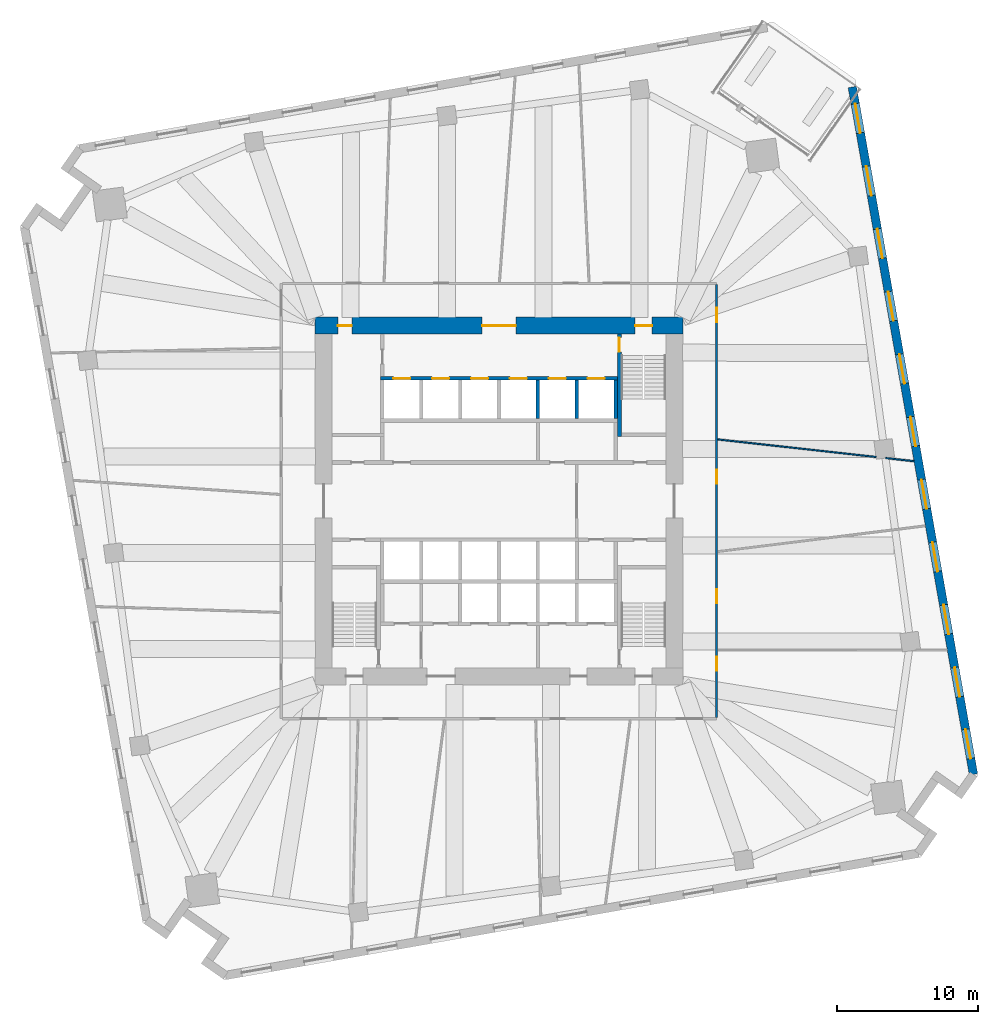
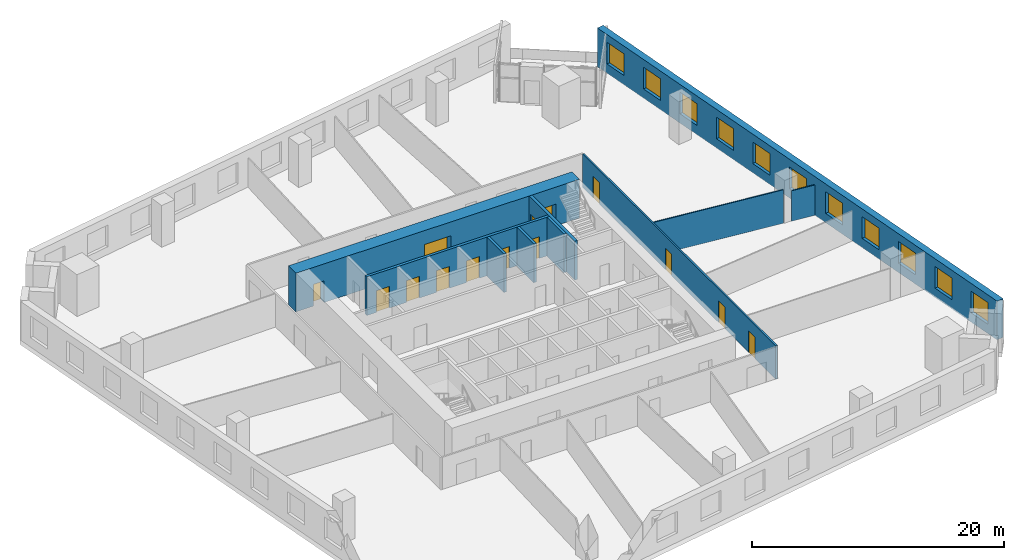
# One storey, part 7 of 10: 14 doors, 11 windows, 10 walls, 25 openings.
"""IFC4 building model written with IfcOpenShell, lengths in metres."""

import ifcopenshell
import ifcopenshell.guid

model = None  # the IFC model being written
_history = None  # IfcOwnerHistory: only IFC2X3 demands one
_inside = {}  # id of a spatial element -> (the spatial element, [elements in it])
_under = {}  # id of a project, library or spatial element -> (it, [spatial elements below it])
_declared = {}  # id of a project -> (the project, [libraries it declares])
_typed = {}  # id of a type object -> (the type object, [elements of that type])
_made_of = {}  # id of a material, layer set ... -> (it, [elements and type objects made of it])


def new_model(schema):
    """Start an empty IFC model of exactly this schema.

    Asked for "IFC4X3", IfcOpenShell would pick the latest addendum, in which some entities
    have other attributes; the version numbers below select the first issue.
    IFC2X3 requires an IfcOwnerHistory on every rooted entity: one is made here for all.
    """
    global model, _history
    if schema == "IFC4X3":
        model = ifcopenshell.file(schema_version=(4, 3, 0, 0))
    else:
        model = ifcopenshell.file(schema=schema)
    _inside.clear()
    _under.clear()
    _declared.clear()
    _typed.clear()
    _made_of.clear()
    _history = None
    if model.schema == "IFC2X3":
        org = make("IfcOrganization", Name="unknown")
        user = make(
            "IfcPersonAndOrganization",
            ThePerson=make("IfcPerson", FamilyName="unknown"),
            TheOrganization=org,
        )
        app = make(
            "IfcApplication",
            ApplicationDeveloper=org,
            Version="unknown",
            ApplicationFullName="unknown",
            ApplicationIdentifier="unknown",
        )
        _history = make(
            "IfcOwnerHistory",
            OwningUser=user,
            OwningApplication=app,
            ChangeAction="ADDED",
            CreationDate=0,
        )
    return model


def make(cls, **values):
    """One entity of the class cls with the attributes given. An attribute that is None is left unset."""
    return model.create_entity(
        cls, **{name: value for name, value in values.items() if value is not None}
    )


def rooted(cls, **values):
    """An entity with a GlobalId (a new one), such as an element, a storey or a relation."""
    return make(cls, GlobalId=ifcopenshell.guid.new(), OwnerHistory=_history, **values)


def si_unit(unit_type, name, prefix=None):
    """IfcSIUnit, for example si_unit("LENGTHUNIT", "METRE", prefix="MILLI")."""
    return make("IfcSIUnit", UnitType=unit_type, Prefix=prefix, Name=name)


def assignment(units):
    """IfcUnitAssignment: the units of a project."""
    return None if units is None else make("IfcUnitAssignment", Units=units)


def point(xyz):
    """IfcCartesianPoint."""
    return None if xyz is None else make("IfcCartesianPoint", Coordinates=xyz)


def direction(xyz):
    """IfcDirection."""
    return None if xyz is None else make("IfcDirection", DirectionRatios=xyz)


def frame(location, z_axis=None, x_axis=None):
    """IfcAxis2Placement3D, a coordinate frame: its origin and axes. An axis left out is left unset."""
    return make(
        "IfcAxis2Placement3D",
        Location=point(location),
        Axis=direction(z_axis),
        RefDirection=direction(x_axis),
    )


def frame_2d(location, x_axis=None):
    """IfcAxis2Placement2D, a coordinate frame in the plane: its origin and x axis."""
    return make(
        "IfcAxis2Placement2D", Location=point(location), RefDirection=direction(x_axis)
    )


def origin():
    """The frame at (0, 0, 0) with its axes left unset."""
    return frame((0.0, 0.0, 0.0))


def place(relative_to, where):
    """IfcLocalPlacement: puts the frame where relative to a parent placement (None: the world)."""
    return make(
        "IfcLocalPlacement", PlacementRelTo=relative_to, RelativePlacement=where
    )


def context(
    kind, dimensions, precision=None, world=None, true_north=None, identifier=None
):
    """IfcGeometricRepresentationContext, for example the 3D "Model" context."""
    return make(
        "IfcGeometricRepresentationContext",
        ContextIdentifier=identifier,
        ContextType=kind,
        CoordinateSpaceDimension=dimensions,
        Precision=precision,
        WorldCoordinateSystem=world,
        TrueNorth=true_north,
    )


def subcontext(parent, identifier, kind, view, scale=None):
    """IfcGeometricRepresentationSubContext, for example "Body" below "Model"."""
    return make(
        "IfcGeometricRepresentationSubContext",
        ContextIdentifier=identifier,
        ContextType=kind,
        ParentContext=parent,
        TargetScale=scale,
        TargetView=view,
    )


def project(units=None, contexts=None):
    """IfcProject with its units and contexts."""
    return rooted(
        "IfcProject",
        Name="project",
        RepresentationContexts=contexts,
        UnitsInContext=assignment(units),
    )


def spatial(cls, under=None, at=None, **own):
    """A site, building, storey or space (cls), placed at a placement, below another one or the project."""
    s = rooted(cls, ObjectPlacement=at, **own)
    if under is not None:
        _under.setdefault(under.id(), (under, []))[1].append(s)
    return s


def profile(cls, at=None, kind="AREA", **sizes):
    """A parametric profile (cls). Its sizes go by their IFC names, for example OverallWidth=200.0."""
    return make(cls, ProfileType=kind, Position=at, **sizes)


def rectangle(**sizes):
    """IfcRectangleProfileDef."""
    return profile("IfcRectangleProfileDef", **sizes)


def extrude(swept, where, along, depth):
    """IfcExtrudedAreaSolid: the profile swept, set in the frame where, extruded along a direction by depth."""
    return make(
        "IfcExtrudedAreaSolid",
        SweptArea=swept,
        Position=where,
        ExtrudedDirection=direction(along),
        Depth=depth,
    )


def shape(context_of_items, identifier, shape_type, items):
    """IfcShapeRepresentation: the items that make up one representation, for example the "Body"."""
    return make(
        "IfcShapeRepresentation",
        ContextOfItems=context_of_items,
        RepresentationIdentifier=identifier,
        RepresentationType=shape_type,
        Items=items,
    )


def material(Name=None, Category=None):
    """IfcMaterial."""
    return make("IfcMaterial", Name=Name, Category=Category)


def layer(
    of_material, thickness, ventilated=None, Name=None, Category=None, Priority=None
):
    """IfcMaterialLayer: one layer of a wall or slab, of a material (None: an air gap)."""
    return make(
        "IfcMaterialLayer",
        Material=of_material,
        LayerThickness=thickness,
        IsVentilated=ventilated,
        Name=Name,
        Category=Category,
        Priority=Priority,
    )


def layer_set(layers, Name=None):
    """IfcMaterialLayerSet."""
    return make("IfcMaterialLayerSet", MaterialLayers=layers, LayerSetName=Name)


def made_of(thing, what):
    """Note that an element or type object is made of a material, layer set ...; save() writes the relation."""
    if what is not None:
        _made_of.setdefault(what.id(), (what, []))[1].append(thing)
    return thing


def type_object(cls, material=None, **own):
    """A type object (cls), such as IfcWallType, which elements share."""
    return made_of(rooted(cls, **own), material)


def element(
    cls,
    number,
    at=None,
    inside=None,
    cuts=None,
    type_object=None,
    material=None,
    context=None,
    identifier="Body",
    shape_type=None,
    held_by="IfcProductDefinitionShape",
    body=None,
    shapes=None,
    **own,
):
    """One element of the class cls, such as IfcWall. Its Tag is "e" and its number.

    at: its placement. inside: the storey or other place that contains it. cuts: it is an
    opening in that element (IfcRelVoidsElement). A single representation is given by context,
    identifier, shape_type and body (its items); several are given by shapes. held_by: the class
    of the entity that holds the representations. save() writes the other relations.
    """
    e = rooted(cls, Tag="e%d" % number, ObjectPlacement=at, **own)
    if body is not None:
        shapes = [shape(context, identifier, shape_type, body)]
    if shapes is not None:
        e.Representation = make(held_by, Representations=shapes)
    if inside is not None:
        _inside.setdefault(inside.id(), (inside, []))[1].append(e)
    if cuts is not None:
        rooted(
            "IfcRelVoidsElement", RelatingBuildingElement=cuts, RelatedOpeningElement=e
        )
    if type_object is not None:
        _typed.setdefault(type_object.id(), (type_object, []))[1].append(e)
    return made_of(e, material)


def fill(opening, filler):
    """IfcRelFillsElement: the door or window that sits in an opening."""
    return rooted(
        "IfcRelFillsElement",
        RelatingOpeningElement=opening,
        RelatedBuildingElement=filler,
    )


def aggregate(whole, parts):
    """IfcRelAggregates: a whole, such as a stair, and the parts it consists of."""
    return rooted("IfcRelAggregates", RelatingObject=whole, RelatedObjects=parts)


def save(model, path):
    """Write the relations noted so far, then the file.

    IfcRelAggregates (storeys below a building ...), IfcRelContainedInSpatialStructure (elements
    in a storey), IfcRelDefinesByType, IfcRelAssociatesMaterial and IfcRelDeclares: one each for
    every whole, place, type object, material and project.
    """
    for whole, parts in _under.values():
        aggregate(whole, parts)
    for where, things in _inside.values():
        rooted(
            "IfcRelContainedInSpatialStructure",
            RelatedElements=things,
            RelatingStructure=where,
        )
    for kind, things in _typed.values():
        rooted("IfcRelDefinesByType", RelatedObjects=things, RelatingType=kind)
    for what, things in _made_of.values():
        rooted("IfcRelAssociatesMaterial", RelatedObjects=things, RelatingMaterial=what)
    for by, libraries in _declared.values():
        rooted("IfcRelDeclares", RelatingContext=by, RelatedDefinitions=libraries)
    model.write(path)


model = new_model("IFC4")

# Units and contexts
model_context = context("Model", 3, precision=1e-05, world=origin(), true_north=direction((0.0, 1.0)))
body_context = subcontext(model_context, "Body", "Model", "MODEL_VIEW")
ifc_project = project(units=[si_unit("LENGTHUNIT", "METRE"), si_unit("AREAUNIT", "SQUARE_METRE"), si_unit("VOLUMEUNIT", "CUBIC_METRE"), si_unit("PLANEANGLEUNIT", "RADIAN"), si_unit("MASSUNIT", "GRAM", prefix="KILO")], contexts=[model_context])

# Site, building, storey
site_placement = place(None, origin())
site = spatial("IfcSite", under=ifc_project, at=site_placement, CompositionType="ELEMENT")
building_placement = place(site_placement, origin())
building = spatial("IfcBuilding", under=site, at=building_placement, Name="Dilmun Exchange Tower", CompositionType="ELEMENT")
storey_placement = place(building_placement, frame((0.0, 0.0, 59.699951171875)))
storey = spatial("IfcBuildingStorey", under=building, at=storey_placement, Name="L13", CompositionType="ELEMENT", Elevation=59.699951171875)

# Wall, openings, doors
ifc_material_1 = material(Name="Concrete C80/95", Category="concrete")
ifc_layer_1 = layer(ifc_material_1, 1.199951171875)
ifc_layer_set_1 = layer_set([ifc_layer_1], Name="Concrete C80/95")
wall_type_1 = type_object("IfcWallType", Name="Core shear wall 1200 Concrete C80/95", PredefinedType="SHEAR", material=ifc_layer_set_1)
wall_1_placement = place(storey_placement, frame((-13.0, 12.39990234375, 0.0), z_axis=(0.0, 0.0, 1.0), x_axis=(1.0, 0.0, 0.0)))
wall_1 = element("IfcWall", 1, at=wall_1_placement, inside=storey, type_object=wall_type_1, Name="L13 core shear wall N", PredefinedType="SHEAR", context=body_context, shape_type="SweptSolid", body=[
    extrude(rectangle(XDim=26.0, YDim=1.199951171875, at=frame_2d((13.0, 0.0))), origin(), (0.0, 0.0, 1.0), 3.75),
])
opening_1_placement = place(wall_1_placement, frame((11.800048828125, 0.0, 0.0)))
opening_1 = element("IfcOpeningElement", 2, at=opening_1_placement, cuts=wall_1, Name="Opening CD1", PredefinedType="OPENING", context=body_context, shape_type="SweptSolid", body=[
    extrude(rectangle(XDim=2.39990234375, YDim=2.39990234375, at=frame_2d((1.199951171875, 1.199951171875))), frame((0.0, 0.60986328125, 0.0), z_axis=(0.0, -1.0, 0.0), x_axis=(1.0, 0.0, 0.0)), (0.0, 0.0, 1.0), 1.219970703125),
])
opening_2_placement = place(wall_1_placement, frame((22.625, 0.0, 0.0)))
opening_2 = element("IfcOpeningElement", 3, at=opening_2_placement, cuts=wall_1, Name="Opening CD3", PredefinedType="OPENING", context=body_context, shape_type="SweptSolid", body=[
    extrude(rectangle(XDim=1.199951171875, YDim=2.10009765625, at=frame_2d((0.60009765625, 1.050048828125))), frame((0.0, 0.60986328125, 0.0), z_axis=(0.0, -1.0, 0.0), x_axis=(1.0, 0.0, 0.0)), (0.0, 0.0, 1.0), 1.219970703125),
])
opening_3_placement = place(wall_1_placement, frame((1.60009765625, 0.0, 0.0)))
opening_3 = element("IfcOpeningElement", 4, at=opening_3_placement, cuts=wall_1, Name="Opening CD4", PredefinedType="OPENING", context=body_context, shape_type="SweptSolid", body=[
    extrude(rectangle(XDim=1.0, YDim=2.10009765625, at=frame_2d((0.5, 1.050048828125))), frame((0.0, 0.60986328125, 0.0), z_axis=(0.0, -1.0, 0.0), x_axis=(1.0, 0.0, 0.0)), (0.0, 0.0, 1.0), 1.219970703125),
])
ifc_material_2 = material(Name="Fire-rated steel door set", Category="steel")
door_type_1 = type_object("IfcDoorType", Name="Core lobby door 2400x2400", OperationType="DOUBLE_DOOR_DOUBLE_SWING", PredefinedType="DOOR", material=ifc_material_2)
door_1_placement = place(opening_1_placement, origin())
door_1 = element("IfcDoor", 5, at=door_1_placement, inside=storey, type_object=door_type_1, Name="L13 door North lift lobby", OperationType="SINGLE_SWING_LEFT", OverallHeight=2.39990234375, OverallWidth=2.39990234375, PredefinedType="DOOR", context=body_context, shape_type="SweptSolid", body=[
    extrude(rectangle(XDim=2.39990234375, YDim=2.39990234375, at=frame_2d((1.199951171875, 1.199951171875))), frame((0.0, 0.02490234375, 0.0), z_axis=(0.0, -1.0, 0.0), x_axis=(1.0, 0.0, 0.0)), (0.0, 0.0, 1.0), 0.050048828125),
])
fill(opening_1, door_1)
door_type_2 = type_object("IfcDoorType", Name="Core room door 1000x2100", OperationType="SINGLE_SWING_LEFT", PredefinedType="DOOR", material=ifc_material_2)
door_2_placement = place(opening_3_placement, origin())
door_2 = element("IfcDoor", 6, at=door_2_placement, inside=storey, type_object=door_type_2, Name="L13 door North-west core rooms", OperationType="SINGLE_SWING_LEFT", OverallHeight=2.10009765625, OverallWidth=1.0, PredefinedType="DOOR", context=body_context, shape_type="SweptSolid", body=[
    extrude(rectangle(XDim=1.0, YDim=2.10009765625, at=frame_2d((0.5, 1.050048828125))), frame((0.0, 0.02490234375, 0.0), z_axis=(0.0, -1.0, 0.0), x_axis=(1.0, 0.0, 0.0)), (0.0, 0.0, 1.0), 0.050048828125),
])
fill(opening_3, door_2)
door_type_3 = type_object("IfcDoorType", Name="Stair exit door 1200x2100", OperationType="SINGLE_SWING_LEFT", PredefinedType="DOOR", material=ifc_material_2)
door_3_placement = place(opening_2_placement, origin())
door_3 = element("IfcDoor", 7, at=door_3_placement, inside=storey, type_object=door_type_3, Name="L13 door Stair ST1", OperationType="SINGLE_SWING_LEFT", OverallHeight=2.10009765625, OverallWidth=1.199951171875, PredefinedType="DOOR", context=body_context, shape_type="SweptSolid", body=[
    extrude(rectangle(XDim=1.199951171875, YDim=2.10009765625, at=frame_2d((0.60009765625, 1.050048828125))), frame((0.0, 0.02490234375, 0.0), z_axis=(0.0, -1.0, 0.0), x_axis=(1.0, 0.0, 0.0)), (0.0, 0.0, 1.0), 0.050048828125),
])
fill(opening_2, door_3)

ifc_material_3 = material(Name="Corridor wall 150")
ifc_layer_2 = layer(ifc_material_3, 0.14990234375)
ifc_layer_set_2 = layer_set([ifc_layer_2], Name="Corridor wall 150")
wall_type_2 = type_object("IfcWallType", Name="Corridor wall 150", PredefinedType="PARTITIONING", material=ifc_layer_set_2)
wall_2_placement = place(storey_placement, frame((15.39990234375, -15.324951171875, 0.0), z_axis=(0.0, 0.0, 1.0), x_axis=(0.0, 1.0, 0.0)))
wall_2 = element("IfcWall", 8, at=wall_2_placement, inside=storey, type_object=wall_type_2, Name="Corridor wall", PredefinedType="PARTITIONING", context=body_context, shape_type="SweptSolid", body=[
    extrude(rectangle(XDim=30.64990234375, YDim=0.14990234375, at=frame_2d((15.324951171875, 0.0))), origin(), (0.0, 0.0, 1.0), 3.25),
])
opening_4_placement = place(wall_2_placement, frame((27.985107421875, 0.0, 0.0)))
opening_4 = element("IfcOpeningElement", 9, at=opening_4_placement, cuts=wall_2, Name="Opening TF13-D14", PredefinedType="OPENING", context=body_context, shape_type="SweptSolid", body=[
    extrude(rectangle(XDim=1.0, YDim=2.10009765625, at=frame_2d((0.5, 1.050048828125))), frame((0.0, 0.0849609375, 0.0), z_axis=(0.0, -1.0, 0.0), x_axis=(1.0, 0.0, 0.0)), (0.0, 0.0, 1.0), 0.169921875),
])
opening_5_placement = place(wall_2_placement, frame((3.300048828125, 0.0, 0.0)))
opening_5 = element("IfcOpeningElement", 10, at=opening_5_placement, cuts=wall_2, Name="Opening TF13-D16", PredefinedType="OPENING", context=body_context, shape_type="SweptSolid", body=[
    extrude(rectangle(XDim=1.0, YDim=2.10009765625, at=frame_2d((0.5, 1.050048828125))), frame((0.0, 0.0849609375, 0.0), z_axis=(0.0, -1.0, 0.0), x_axis=(1.0, 0.0, 0.0)), (0.0, 0.0, 1.0), 0.169921875),
])
opening_6_placement = place(wall_2_placement, frame((16.53759765625, 0.0, 0.0)))
opening_6 = element("IfcOpeningElement", 11, at=opening_6_placement, cuts=wall_2, Name="Opening TF13-D17", PredefinedType="OPENING", context=body_context, shape_type="SweptSolid", body=[
    extrude(rectangle(XDim=1.0, YDim=2.10009765625, at=frame_2d((0.5, 1.050048828125))), frame((0.0, 0.0849609375, 0.0), z_axis=(0.0, -1.0, 0.0), x_axis=(1.0, 0.0, 0.0)), (0.0, 0.0, 1.0), 0.169921875),
])
opening_7_placement = place(wall_2_placement, frame((8.08740234375, 0.0, 0.0)))
opening_7 = element("IfcOpeningElement", 12, at=opening_7_placement, cuts=wall_2, Name="Opening TF13-D18", PredefinedType="OPENING", context=body_context, shape_type="SweptSolid", body=[
    extrude(rectangle(XDim=1.0, YDim=2.10009765625, at=frame_2d((0.5, 1.050048828125))), frame((0.0, 0.0849609375, 0.0), z_axis=(0.0, -1.0, 0.0), x_axis=(1.0, 0.0, 0.0)), (0.0, 0.0, 1.0), 0.169921875),
])
ifc_material_4 = material(Name="Fire door 1000 x 2100")
door_type_4 = type_object("IfcDoorType", Name="Fire door 1000 x 2100", OperationType="NOTDEFINED", PredefinedType="DOOR", material=ifc_material_4)
door_4_placement = place(opening_4_placement, frame((1.0, 0.0, 0.0), z_axis=(0.0, 0.0, 1.0), x_axis=(-1.0, 0.0, 0.0)))
door_4 = element("IfcDoor", 13, at=door_4_placement, inside=storey, type_object=door_type_4, Name="Door TF13-D14", OperationType="SINGLE_SWING_LEFT", OverallHeight=2.10009765625, OverallWidth=1.0, PredefinedType="DOOR", context=body_context, shape_type="SweptSolid", body=[
    extrude(rectangle(XDim=1.0, YDim=2.10009765625, at=frame_2d((0.5, 1.050048828125))), frame((0.0, 0.02490234375, 0.0), z_axis=(0.0, -1.0, 0.0), x_axis=(1.0, 0.0, 0.0)), (0.0, 0.0, 1.0), 0.050048828125),
])
fill(opening_4, door_4)
door_5_placement = place(opening_5_placement, frame((1.0, 0.0, 0.0), z_axis=(0.0, 0.0, 1.0), x_axis=(-1.0, 0.0, 0.0)))
door_5 = element("IfcDoor", 14, at=door_5_placement, inside=storey, type_object=door_type_4, Name="Door TF13-D16", OperationType="SINGLE_SWING_RIGHT", OverallHeight=2.10009765625, OverallWidth=1.0, PredefinedType="DOOR", context=body_context, shape_type="SweptSolid", body=[
    extrude(rectangle(XDim=1.0, YDim=2.10009765625, at=frame_2d((0.5, 1.050048828125))), frame((0.0, 0.02490234375, 0.0), z_axis=(0.0, -1.0, 0.0), x_axis=(1.0, 0.0, 0.0)), (0.0, 0.0, 1.0), 0.050048828125),
])
fill(opening_5, door_5)
door_6_placement = place(opening_6_placement, frame((1.0, 0.0, 0.0), z_axis=(0.0, 0.0, 1.0), x_axis=(-1.0, 0.0, 0.0)))
door_6 = element("IfcDoor", 15, at=door_6_placement, inside=storey, type_object=door_type_4, Name="Door TF13-D17", OperationType="SINGLE_SWING_RIGHT", OverallHeight=2.10009765625, OverallWidth=1.0, PredefinedType="DOOR", context=body_context, shape_type="SweptSolid", body=[
    extrude(rectangle(XDim=1.0, YDim=2.10009765625, at=frame_2d((0.5, 1.050048828125))), frame((0.0, 0.02490234375, 0.0), z_axis=(0.0, -1.0, 0.0), x_axis=(1.0, 0.0, 0.0)), (0.0, 0.0, 1.0), 0.050048828125),
])
fill(opening_6, door_6)
door_7_placement = place(opening_7_placement, frame((1.0, 0.0, 0.0), z_axis=(0.0, 0.0, 1.0), x_axis=(-1.0, 0.0, 0.0)))
door_7 = element("IfcDoor", 16, at=door_7_placement, inside=storey, type_object=door_type_4, Name="Door TF13-D18", OperationType="SINGLE_SWING_RIGHT", OverallHeight=2.10009765625, OverallWidth=1.0, PredefinedType="DOOR", context=body_context, shape_type="SweptSolid", body=[
    extrude(rectangle(XDim=1.0, YDim=2.10009765625, at=frame_2d((0.5, 1.050048828125))), frame((0.0, 0.02490234375, 0.0), z_axis=(0.0, -1.0, 0.0), x_axis=(1.0, 0.0, 0.0)), (0.0, 0.0, 1.0), 0.050048828125),
])
fill(opening_7, door_7)

ifc_material_5 = material(Name="Concrete C40/50", Category="concrete")
ifc_layer_3 = layer(ifc_material_5, 0.25)
ifc_layer_set_3 = layer_set([ifc_layer_3], Name="Concrete C40/50")
wall_type_3 = type_object("IfcWallType", Name="Lift shaft wall 250", PredefinedType="SOLIDWALL", material=ifc_layer_set_3)
wall_3_placement = place(storey_placement, frame((-8.375, 8.675048828125, 0.0), z_axis=(0.0, 0.0, 1.0), x_axis=(1.0, 0.0, 0.0)))
wall_3 = element("IfcWall", 17, at=wall_3_placement, inside=storey, type_object=wall_type_3, Name="L13 lift shaft front wall N2", PredefinedType="SOLIDWALL", context=body_context, shape_type="SweptSolid", body=[
    extrude(rectangle(XDim=16.75, YDim=0.25, at=frame_2d((8.375, 0.0))), origin(), (0.0, 0.0, 1.0), 3.75),
])
opening_8_placement = place(wall_3_placement, frame((0.89990234375, 0.0, 0.0)))
opening_8 = element("IfcOpeningElement", 18, at=opening_8_placement, cuts=wall_3, Name="Opening LD", PredefinedType="OPENING", context=body_context, shape_type="SweptSolid", body=[
    extrude(rectangle(XDim=1.199951171875, YDim=2.10009765625, at=frame_2d((0.60009765625, 1.050048828125))), frame((0.0, 0.135009765625, 0.0), z_axis=(0.0, -1.0, 0.0), x_axis=(1.0, 0.0, 0.0)), (0.0, 0.0, 1.0), 0.27001953125),
])
opening_9_placement = place(wall_3_placement, frame((3.64990234375, 0.0, 0.0)))
opening_9 = element("IfcOpeningElement", 19, at=opening_9_placement, cuts=wall_3, Name="Opening LD", PredefinedType="OPENING", context=body_context, shape_type="SweptSolid", body=[
    extrude(rectangle(XDim=1.199951171875, YDim=2.10009765625, at=frame_2d((0.60009765625, 1.050048828125))), frame((0.0, 0.135009765625, 0.0), z_axis=(0.0, -1.0, 0.0), x_axis=(1.0, 0.0, 0.0)), (0.0, 0.0, 1.0), 0.27001953125),
])
opening_10_placement = place(wall_3_placement, frame((6.39990234375, 0.0, 0.0)))
opening_10 = element("IfcOpeningElement", 20, at=opening_10_placement, cuts=wall_3, Name="Opening LD", PredefinedType="OPENING", context=body_context, shape_type="SweptSolid", body=[
    extrude(rectangle(XDim=1.199951171875, YDim=2.10009765625, at=frame_2d((0.60009765625, 1.050048828125))), frame((0.0, 0.135009765625, 0.0), z_axis=(0.0, -1.0, 0.0), x_axis=(1.0, 0.0, 0.0)), (0.0, 0.0, 1.0), 0.27001953125),
])
opening_11_placement = place(wall_3_placement, frame((9.14990234375, 0.0, 0.0)))
opening_11 = element("IfcOpeningElement", 21, at=opening_11_placement, cuts=wall_3, Name="Opening LD", PredefinedType="OPENING", context=body_context, shape_type="SweptSolid", body=[
    extrude(rectangle(XDim=1.199951171875, YDim=2.10009765625, at=frame_2d((0.60009765625, 1.050048828125))), frame((0.0, 0.135009765625, 0.0), z_axis=(0.0, -1.0, 0.0), x_axis=(1.0, 0.0, 0.0)), (0.0, 0.0, 1.0), 0.27001953125),
])
opening_12_placement = place(wall_3_placement, frame((11.89990234375, 0.0, 0.0)))
opening_12 = element("IfcOpeningElement", 22, at=opening_12_placement, cuts=wall_3, Name="Opening LD", PredefinedType="OPENING", context=body_context, shape_type="SweptSolid", body=[
    extrude(rectangle(XDim=1.199951171875, YDim=2.10009765625, at=frame_2d((0.60009765625, 1.050048828125))), frame((0.0, 0.135009765625, 0.0), z_axis=(0.0, -1.0, 0.0), x_axis=(1.0, 0.0, 0.0)), (0.0, 0.0, 1.0), 0.27001953125),
])
opening_13_placement = place(wall_3_placement, frame((14.64990234375, 0.0, 0.0)))
opening_13 = element("IfcOpeningElement", 23, at=opening_13_placement, cuts=wall_3, Name="Opening LD", PredefinedType="OPENING", context=body_context, shape_type="SweptSolid", body=[
    extrude(rectangle(XDim=1.199951171875, YDim=2.10009765625, at=frame_2d((0.60009765625, 1.050048828125))), frame((0.0, 0.135009765625, 0.0), z_axis=(0.0, -1.0, 0.0), x_axis=(1.0, 0.0, 0.0)), (0.0, 0.0, 1.0), 0.27001953125),
])
door_type_5 = type_object("IfcDoorType", Name="Lift landing door 1200x2100", OperationType="DOUBLE_DOOR_SLIDING", PredefinedType="DOOR", material=ifc_material_2)
door_8_placement = place(opening_8_placement, origin())
door_8 = element("IfcDoor", 24, at=door_8_placement, inside=storey, type_object=door_type_5, Name="L13 landing door LR1", OperationType="DOUBLE_DOOR_SLIDING", OverallHeight=2.10009765625, OverallWidth=1.199951171875, PredefinedType="DOOR", context=body_context, shape_type="SweptSolid", body=[
    extrude(rectangle(XDim=1.199951171875, YDim=2.10009765625, at=frame_2d((0.60009765625, 1.050048828125))), frame((0.0, 0.02490234375, 0.0), z_axis=(0.0, -1.0, 0.0), x_axis=(1.0, 0.0, 0.0)), (0.0, 0.0, 1.0), 0.050048828125),
])
fill(opening_8, door_8)
door_9_placement = place(opening_9_placement, origin())
door_9 = element("IfcDoor", 25, at=door_9_placement, inside=storey, type_object=door_type_5, Name="L13 landing door LR2", OperationType="DOUBLE_DOOR_SLIDING", OverallHeight=2.10009765625, OverallWidth=1.199951171875, PredefinedType="DOOR", context=body_context, shape_type="SweptSolid", body=[
    extrude(rectangle(XDim=1.199951171875, YDim=2.10009765625, at=frame_2d((0.60009765625, 1.050048828125))), frame((0.0, 0.02490234375, 0.0), z_axis=(0.0, -1.0, 0.0), x_axis=(1.0, 0.0, 0.0)), (0.0, 0.0, 1.0), 0.050048828125),
])
fill(opening_9, door_9)
door_10_placement = place(opening_10_placement, origin())
door_10 = element("IfcDoor", 26, at=door_10_placement, inside=storey, type_object=door_type_5, Name="L13 landing door LR3", OperationType="DOUBLE_DOOR_SLIDING", OverallHeight=2.10009765625, OverallWidth=1.199951171875, PredefinedType="DOOR", context=body_context, shape_type="SweptSolid", body=[
    extrude(rectangle(XDim=1.199951171875, YDim=2.10009765625, at=frame_2d((0.60009765625, 1.050048828125))), frame((0.0, 0.02490234375, 0.0), z_axis=(0.0, -1.0, 0.0), x_axis=(1.0, 0.0, 0.0)), (0.0, 0.0, 1.0), 0.050048828125),
])
fill(opening_10, door_10)
door_11_placement = place(opening_11_placement, origin())
door_11 = element("IfcDoor", 27, at=door_11_placement, inside=storey, type_object=door_type_5, Name="L13 landing door LR4", OperationType="DOUBLE_DOOR_SLIDING", OverallHeight=2.10009765625, OverallWidth=1.199951171875, PredefinedType="DOOR", context=body_context, shape_type="SweptSolid", body=[
    extrude(rectangle(XDim=1.199951171875, YDim=2.10009765625, at=frame_2d((0.60009765625, 1.050048828125))), frame((0.0, 0.02490234375, 0.0), z_axis=(0.0, -1.0, 0.0), x_axis=(1.0, 0.0, 0.0)), (0.0, 0.0, 1.0), 0.050048828125),
])
fill(opening_11, door_11)
door_12_placement = place(opening_12_placement, origin())
door_12 = element("IfcDoor", 28, at=door_12_placement, inside=storey, type_object=door_type_5, Name="L13 landing door LR5", OperationType="DOUBLE_DOOR_SLIDING", OverallHeight=2.10009765625, OverallWidth=1.199951171875, PredefinedType="DOOR", context=body_context, shape_type="SweptSolid", body=[
    extrude(rectangle(XDim=1.199951171875, YDim=2.10009765625, at=frame_2d((0.60009765625, 1.050048828125))), frame((0.0, 0.02490234375, 0.0), z_axis=(0.0, -1.0, 0.0), x_axis=(1.0, 0.0, 0.0)), (0.0, 0.0, 1.0), 0.050048828125),
])
fill(opening_12, door_12)
door_13_placement = place(opening_13_placement, origin())
door_13 = element("IfcDoor", 29, at=door_13_placement, inside=storey, type_object=door_type_5, Name="L13 landing door LR6", OperationType="DOUBLE_DOOR_SLIDING", OverallHeight=2.10009765625, OverallWidth=1.199951171875, PredefinedType="DOOR", context=body_context, shape_type="SweptSolid", body=[
    extrude(rectangle(XDim=1.199951171875, YDim=2.10009765625, at=frame_2d((0.60009765625, 1.050048828125))), frame((0.0, 0.02490234375, 0.0), z_axis=(0.0, -1.0, 0.0), x_axis=(1.0, 0.0, 0.0)), (0.0, 0.0, 1.0), 0.050048828125),
])
fill(opening_13, door_13)

# Walls
for number, where, z_axis, x_axis, name in (
    (30, (2.75, 5.85009765625, 0.0), (0.0, 0.0, 1.0), (0.0, 1.0, 0.0), "L13 lift shaft divider N24"),
    (31, (5.5, 5.85009765625, 0.0), (0.0, 0.0, 1.0), (0.0, 1.0, 0.0), "L13 lift shaft divider N25"),
    (32, (8.25, 5.85009765625, 0.0), (0.0, 0.0, 1.0), (0.0, 1.0, 0.0), "L13 lift shaft divider N26"),
):
    element("IfcWall", number, at=place(storey_placement, frame(where, z_axis=z_axis, x_axis=x_axis)), inside=storey, type_object=wall_type_3, Name=name, PredefinedType="SOLIDWALL", context=body_context, shape_type="SweptSolid", body=[
        extrude(rectangle(XDim=2.699951171875, YDim=0.25, at=frame_2d((1.35009765625, 0.0))), origin(), (0.0, 0.0, 1.0), 3.75),
    ])
ifc_material_6 = material(Name="Partition 100")
ifc_layer_4 = layer(ifc_material_6, 0.10009765625)
ifc_layer_set_4 = layer_set([ifc_layer_4], Name="Partition 100")
wall_type_4 = type_object("IfcWallType", Name="Partition 100", PredefinedType="PARTITIONING", material=ifc_layer_set_4)
wall_4_placement = place(storey_placement, frame((15.48046875, 4.356201171875, 0.0), z_axis=(0.0, 0.0, 1.0), x_axis=(0.993895889778, -0.11032207523, 0.0)))
element("IfcWall", 33, at=wall_4_placement, inside=storey, type_object=wall_type_4, Name="Partition", PredefinedType="PARTITIONING", context=body_context, shape_type="SweptSolid", body=[
    extrude(rectangle(XDim=11.261962890625, YDim=0.10009765625, at=frame_2d((5.630859375, 0.0))), origin(), (0.0, 0.0, 1.0), 3.25),
])
wall_5_placement = place(storey_placement, frame((27.35205078125, 3.03857421875, 0.0), z_axis=(0.0, 0.0, 1.0), x_axis=(0.993891119471, -0.110365042642, 0.0)))
element("IfcWall", 34, at=wall_5_placement, inside=storey, type_object=wall_type_4, Name="Partition", PredefinedType="PARTITIONING", context=body_context, shape_type="SweptSolid", body=[
    extrude(rectangle(XDim=2.01513671875, YDim=0.10009765625, at=frame_2d((1.007568359375, 0.0))), origin(), (0.0, 0.0, 1.0), 2.949951171875),
])

# Wall, openings, windows
ifc_material_7 = material(Name="Precast concrete C50/60", Category="concrete")
ifc_layer_5 = layer(ifc_material_7, 0.60009765625)
ifc_layer_set_5 = layer_set([ifc_layer_5], Name="Precast concrete C50/60")
wall_type_5 = type_object("IfcWallType", Name="Precast stone-clad wall 600", PredefinedType="STANDARD", material=ifc_layer_set_5)
wall_6_placement = place(storey_placement, frame((33.568359375, -19.340576171875, 0.0), z_axis=(0.0, 0.0, 1.0), x_axis=(-0.173647117517, 0.984807939945, 0.0)))
wall_6 = element("IfcWall", 35, at=wall_6_placement, inside=storey, type_object=wall_type_5, Name="Facade wall L13-21", PredefinedType="STANDARD", context=body_context, shape_type="SweptSolid", body=[
    extrude(rectangle(XDim=49.375732421875, YDim=0.60009765625, at=frame_2d((24.68798828125, 0.0))), origin(), (0.0, 0.0, 1.0), 3.75),
])
opening_14_placement = place(wall_6_placement, frame((1.137939453125, 0.0, 0.89990234375)))
opening_14 = element("IfcOpeningElement", 36, at=opening_14_placement, cuts=wall_6, Name="Opening W210-210", PredefinedType="OPENING", context=body_context, shape_type="SweptSolid", body=[
    extrude(rectangle(XDim=2.10009765625, YDim=2.10009765625, at=frame_2d((1.050048828125, 1.050048828125))), frame((0.0, 0.31005859375, 0.0), z_axis=(0.0, -1.0, 0.0), x_axis=(1.0, 0.0, 0.0)), (0.0, 0.0, 1.0), 0.6201171875),
])
opening_15_placement = place(wall_6_placement, frame((5.57568359375, 0.0, 0.89990234375)))
opening_15 = element("IfcOpeningElement", 37, at=opening_15_placement, cuts=wall_6, Name="Opening W210-210", PredefinedType="OPENING", context=body_context, shape_type="SweptSolid", body=[
    extrude(rectangle(XDim=2.10009765625, YDim=2.10009765625, at=frame_2d((1.050048828125, 1.050048828125))), frame((0.0, 0.31005859375, 0.0), z_axis=(0.0, -1.0, 0.0), x_axis=(1.0, 0.0, 0.0)), (0.0, 0.0, 1.0), 0.6201171875),
])
opening_16_placement = place(wall_6_placement, frame((10.07568359375, 0.0, 0.89990234375)))
opening_16 = element("IfcOpeningElement", 38, at=opening_16_placement, cuts=wall_6, Name="Opening W210-210", PredefinedType="OPENING", context=body_context, shape_type="SweptSolid", body=[
    extrude(rectangle(XDim=2.10009765625, YDim=2.10009765625, at=frame_2d((1.050048828125, 1.050048828125))), frame((0.0, 0.31005859375, 0.0), z_axis=(0.0, -1.0, 0.0), x_axis=(1.0, 0.0, 0.0)), (0.0, 0.0, 1.0), 0.6201171875),
])
opening_17_placement = place(wall_6_placement, frame((14.57568359375, 0.0, 0.89990234375)))
opening_17 = element("IfcOpeningElement", 39, at=opening_17_placement, cuts=wall_6, Name="Opening W210-210", PredefinedType="OPENING", context=body_context, shape_type="SweptSolid", body=[
    extrude(rectangle(XDim=2.10009765625, YDim=2.10009765625, at=frame_2d((1.050048828125, 1.050048828125))), frame((0.0, 0.31005859375, 0.0), z_axis=(0.0, -1.0, 0.0), x_axis=(1.0, 0.0, 0.0)), (0.0, 0.0, 1.0), 0.6201171875),
])
opening_18_placement = place(wall_6_placement, frame((19.07568359375, 0.0, 0.89990234375)))
opening_18 = element("IfcOpeningElement", 40, at=opening_18_placement, cuts=wall_6, Name="Opening W210-210", PredefinedType="OPENING", context=body_context, shape_type="SweptSolid", body=[
    extrude(rectangle(XDim=2.10009765625, YDim=2.10009765625, at=frame_2d((1.050048828125, 1.050048828125))), frame((0.0, 0.31005859375, 0.0), z_axis=(0.0, -1.0, 0.0), x_axis=(1.0, 0.0, 0.0)), (0.0, 0.0, 1.0), 0.6201171875),
])
opening_19_placement = place(wall_6_placement, frame((23.57568359375, 0.0, 0.89990234375)))
opening_19 = element("IfcOpeningElement", 41, at=opening_19_placement, cuts=wall_6, Name="Opening W210-210", PredefinedType="OPENING", context=body_context, shape_type="SweptSolid", body=[
    extrude(rectangle(XDim=2.10009765625, YDim=2.10009765625, at=frame_2d((1.050048828125, 1.050048828125))), frame((0.0, 0.31005859375, 0.0), z_axis=(0.0, -1.0, 0.0), x_axis=(1.0, 0.0, 0.0)), (0.0, 0.0, 1.0), 0.6201171875),
])
opening_20_placement = place(wall_6_placement, frame((28.07568359375, 0.0, 0.89990234375)))
opening_20 = element("IfcOpeningElement", 42, at=opening_20_placement, cuts=wall_6, Name="Opening W210-210", PredefinedType="OPENING", context=body_context, shape_type="SweptSolid", body=[
    extrude(rectangle(XDim=2.10009765625, YDim=2.10009765625, at=frame_2d((1.050048828125, 1.050048828125))), frame((0.0, 0.31005859375, 0.0), z_axis=(0.0, -1.0, 0.0), x_axis=(1.0, 0.0, 0.0)), (0.0, 0.0, 1.0), 0.6201171875),
])
opening_21_placement = place(wall_6_placement, frame((32.57568359375, 0.0, 0.89990234375)))
opening_21 = element("IfcOpeningElement", 43, at=opening_21_placement, cuts=wall_6, Name="Opening W210-210", PredefinedType="OPENING", context=body_context, shape_type="SweptSolid", body=[
    extrude(rectangle(XDim=2.10009765625, YDim=2.10009765625, at=frame_2d((1.050048828125, 1.050048828125))), frame((0.0, 0.31005859375, 0.0), z_axis=(0.0, -1.0, 0.0), x_axis=(1.0, 0.0, 0.0)), (0.0, 0.0, 1.0), 0.6201171875),
])
opening_22_placement = place(wall_6_placement, frame((37.07568359375, 0.0, 0.89990234375)))
opening_22 = element("IfcOpeningElement", 44, at=opening_22_placement, cuts=wall_6, Name="Opening W210-210", PredefinedType="OPENING", context=body_context, shape_type="SweptSolid", body=[
    extrude(rectangle(XDim=2.10009765625, YDim=2.10009765625, at=frame_2d((1.050048828125, 1.050048828125))), frame((0.0, 0.31005859375, 0.0), z_axis=(0.0, -1.0, 0.0), x_axis=(1.0, 0.0, 0.0)), (0.0, 0.0, 1.0), 0.6201171875),
])
opening_23_placement = place(wall_6_placement, frame((41.57568359375, 0.0, 0.89990234375)))
opening_23 = element("IfcOpeningElement", 45, at=opening_23_placement, cuts=wall_6, Name="Opening W210-210", PredefinedType="OPENING", context=body_context, shape_type="SweptSolid", body=[
    extrude(rectangle(XDim=2.10009765625, YDim=2.10009765625, at=frame_2d((1.050048828125, 1.050048828125))), frame((0.0, 0.31005859375, 0.0), z_axis=(0.0, -1.0, 0.0), x_axis=(1.0, 0.0, 0.0)), (0.0, 0.0, 1.0), 0.6201171875),
])
opening_24_placement = place(wall_6_placement, frame((46.07568359375, 0.0, 0.89990234375)))
opening_24 = element("IfcOpeningElement", 46, at=opening_24_placement, cuts=wall_6, Name="Opening W210-210", PredefinedType="OPENING", context=body_context, shape_type="SweptSolid", body=[
    extrude(rectangle(XDim=2.10009765625, YDim=2.10009765625, at=frame_2d((1.050048828125, 1.050048828125))), frame((0.0, 0.31005859375, 0.0), z_axis=(0.0, -1.0, 0.0), x_axis=(1.0, 0.0, 0.0)), (0.0, 0.0, 1.0), 0.6201171875),
])
ifc_material_8 = material(Name="Clear low-emissivity glass in aluminium frame", Category="aluminium")
window_type = type_object("IfcWindowType", Name="Punched window 2100 x 2100", PartitioningType="DOUBLE_PANEL_VERTICAL", PredefinedType="WINDOW", material=ifc_material_8)
window_1_placement = place(opening_14_placement, origin())
window_1 = element("IfcWindow", 47, at=window_1_placement, inside=storey, type_object=window_type, Name="Window 22.1", OverallHeight=2.10009765625, OverallWidth=2.10009765625, PartitioningType="SINGLE_PANEL", PredefinedType="WINDOW", context=body_context, shape_type="SweptSolid", body=[
    extrude(rectangle(XDim=2.10009765625, YDim=2.10009765625, at=frame_2d((1.050048828125, 1.050048828125))), frame((0.0, 0.030029296875, 0.0), z_axis=(0.0, -1.0, 0.0), x_axis=(1.0, 0.0, 0.0)), (0.0, 0.0, 1.0), 0.06005859375),
])
fill(opening_14, window_1)
window_2_placement = place(opening_15_placement, origin())
window_2 = element("IfcWindow", 48, at=window_2_placement, inside=storey, type_object=window_type, Name="Window 22.2", OverallHeight=2.10009765625, OverallWidth=2.10009765625, PartitioningType="SINGLE_PANEL", PredefinedType="WINDOW", context=body_context, shape_type="SweptSolid", body=[
    extrude(rectangle(XDim=2.10009765625, YDim=2.10009765625, at=frame_2d((1.050048828125, 1.050048828125))), frame((0.0, 0.030029296875, 0.0), z_axis=(0.0, -1.0, 0.0), x_axis=(1.0, 0.0, 0.0)), (0.0, 0.0, 1.0), 0.06005859375),
])
fill(opening_15, window_2)
window_3_placement = place(opening_16_placement, origin())
window_3 = element("IfcWindow", 49, at=window_3_placement, inside=storey, type_object=window_type, Name="Window 22.3", OverallHeight=2.10009765625, OverallWidth=2.10009765625, PartitioningType="SINGLE_PANEL", PredefinedType="WINDOW", context=body_context, shape_type="SweptSolid", body=[
    extrude(rectangle(XDim=2.10009765625, YDim=2.10009765625, at=frame_2d((1.050048828125, 1.050048828125))), frame((0.0, 0.030029296875, 0.0), z_axis=(0.0, -1.0, 0.0), x_axis=(1.0, 0.0, 0.0)), (0.0, 0.0, 1.0), 0.06005859375),
])
fill(opening_16, window_3)
window_4_placement = place(opening_17_placement, origin())
window_4 = element("IfcWindow", 50, at=window_4_placement, inside=storey, type_object=window_type, Name="Window 22.4", OverallHeight=2.10009765625, OverallWidth=2.10009765625, PartitioningType="SINGLE_PANEL", PredefinedType="WINDOW", context=body_context, shape_type="SweptSolid", body=[
    extrude(rectangle(XDim=2.10009765625, YDim=2.10009765625, at=frame_2d((1.050048828125, 1.050048828125))), frame((0.0, 0.030029296875, 0.0), z_axis=(0.0, -1.0, 0.0), x_axis=(1.0, 0.0, 0.0)), (0.0, 0.0, 1.0), 0.06005859375),
])
fill(opening_17, window_4)
window_5_placement = place(opening_18_placement, origin())
window_5 = element("IfcWindow", 51, at=window_5_placement, inside=storey, type_object=window_type, Name="Window 22.5", OverallHeight=2.10009765625, OverallWidth=2.10009765625, PartitioningType="SINGLE_PANEL", PredefinedType="WINDOW", context=body_context, shape_type="SweptSolid", body=[
    extrude(rectangle(XDim=2.10009765625, YDim=2.10009765625, at=frame_2d((1.050048828125, 1.050048828125))), frame((0.0, 0.030029296875, 0.0), z_axis=(0.0, -1.0, 0.0), x_axis=(1.0, 0.0, 0.0)), (0.0, 0.0, 1.0), 0.06005859375),
])
fill(opening_18, window_5)
window_6_placement = place(opening_19_placement, origin())
window_6 = element("IfcWindow", 52, at=window_6_placement, inside=storey, type_object=window_type, Name="Window 22.6", OverallHeight=2.10009765625, OverallWidth=2.10009765625, PartitioningType="SINGLE_PANEL", PredefinedType="WINDOW", context=body_context, shape_type="SweptSolid", body=[
    extrude(rectangle(XDim=2.10009765625, YDim=2.10009765625, at=frame_2d((1.050048828125, 1.050048828125))), frame((0.0, 0.030029296875, 0.0), z_axis=(0.0, -1.0, 0.0), x_axis=(1.0, 0.0, 0.0)), (0.0, 0.0, 1.0), 0.06005859375),
])
fill(opening_19, window_6)
window_7_placement = place(opening_20_placement, origin())
window_7 = element("IfcWindow", 53, at=window_7_placement, inside=storey, type_object=window_type, Name="Window 22.7", OverallHeight=2.10009765625, OverallWidth=2.10009765625, PartitioningType="SINGLE_PANEL", PredefinedType="WINDOW", context=body_context, shape_type="SweptSolid", body=[
    extrude(rectangle(XDim=2.10009765625, YDim=2.10009765625, at=frame_2d((1.050048828125, 1.050048828125))), frame((0.0, 0.030029296875, 0.0), z_axis=(0.0, -1.0, 0.0), x_axis=(1.0, 0.0, 0.0)), (0.0, 0.0, 1.0), 0.06005859375),
])
fill(opening_20, window_7)
window_8_placement = place(opening_21_placement, origin())
window_8 = element("IfcWindow", 54, at=window_8_placement, inside=storey, type_object=window_type, Name="Window 22.8", OverallHeight=2.10009765625, OverallWidth=2.10009765625, PartitioningType="SINGLE_PANEL", PredefinedType="WINDOW", context=body_context, shape_type="SweptSolid", body=[
    extrude(rectangle(XDim=2.10009765625, YDim=2.10009765625, at=frame_2d((1.050048828125, 1.050048828125))), frame((0.0, 0.030029296875, 0.0), z_axis=(0.0, -1.0, 0.0), x_axis=(1.0, 0.0, 0.0)), (0.0, 0.0, 1.0), 0.06005859375),
])
fill(opening_21, window_8)
window_9_placement = place(opening_22_placement, origin())
window_9 = element("IfcWindow", 55, at=window_9_placement, inside=storey, type_object=window_type, Name="Window 22.9", OverallHeight=2.10009765625, OverallWidth=2.10009765625, PartitioningType="SINGLE_PANEL", PredefinedType="WINDOW", context=body_context, shape_type="SweptSolid", body=[
    extrude(rectangle(XDim=2.10009765625, YDim=2.10009765625, at=frame_2d((1.050048828125, 1.050048828125))), frame((0.0, 0.030029296875, 0.0), z_axis=(0.0, -1.0, 0.0), x_axis=(1.0, 0.0, 0.0)), (0.0, 0.0, 1.0), 0.06005859375),
])
fill(opening_22, window_9)
window_10_placement = place(opening_23_placement, origin())
window_10 = element("IfcWindow", 56, at=window_10_placement, inside=storey, type_object=window_type, Name="Window 22.10", OverallHeight=2.10009765625, OverallWidth=2.10009765625, PartitioningType="SINGLE_PANEL", PredefinedType="WINDOW", context=body_context, shape_type="SweptSolid", body=[
    extrude(rectangle(XDim=2.10009765625, YDim=2.10009765625, at=frame_2d((1.050048828125, 1.050048828125))), frame((0.0, 0.030029296875, 0.0), z_axis=(0.0, -1.0, 0.0), x_axis=(1.0, 0.0, 0.0)), (0.0, 0.0, 1.0), 0.06005859375),
])
fill(opening_23, window_10)
window_11_placement = place(opening_24_placement, origin())
window_11 = element("IfcWindow", 57, at=window_11_placement, inside=storey, type_object=window_type, Name="Window 22.11", OverallHeight=2.10009765625, OverallWidth=2.10009765625, PartitioningType="SINGLE_PANEL", PredefinedType="WINDOW", context=body_context, shape_type="SweptSolid", body=[
    extrude(rectangle(XDim=2.10009765625, YDim=2.10009765625, at=frame_2d((1.050048828125, 1.050048828125))), frame((0.0, 0.030029296875, 0.0), z_axis=(0.0, -1.0, 0.0), x_axis=(1.0, 0.0, 0.0)), (0.0, 0.0, 1.0), 0.06005859375),
])
fill(opening_24, window_11)

# Wall, opening, door
ifc_layer_6 = layer(ifc_material_5, 0.27490234375)
ifc_layer_set_6 = layer_set([ifc_layer_6], Name="Concrete C40/50")
wall_type_6 = type_object("IfcWallType", Name="Stair wall 275", PredefinedType="SOLIDWALL", material=ifc_layer_set_6)
wall_7_placement = place(storey_placement, frame((8.512451171875, 4.550048828125, 0.0), z_axis=(0.0, 0.0, 1.0), x_axis=(0.0, 1.0, 0.0)))
wall_7 = element("IfcWall", 58, at=wall_7_placement, inside=storey, type_object=wall_type_6, Name="L13 ST1 wall to lift block", PredefinedType="SOLIDWALL", context=body_context, shape_type="SweptSolid", body=[
    extrude(rectangle(XDim=7.25, YDim=0.27490234375, at=frame_2d((3.625, 0.0))), origin(), (0.0, 0.0, 1.0), 3.75),
])
opening_25_placement = place(wall_7_placement, frame((6.0, 0.0, 0.0)))
opening_25 = element("IfcOpeningElement", 59, at=opening_25_placement, cuts=wall_7, Name="Opening CD4", PredefinedType="OPENING", context=body_context, shape_type="SweptSolid", body=[
    extrude(rectangle(XDim=1.0, YDim=2.10009765625, at=frame_2d((0.5, 1.050048828125))), frame((0.0, 0.1474609375, 0.0), z_axis=(0.0, -1.0, 0.0), x_axis=(1.0, 0.0, 0.0)), (0.0, 0.0, 1.0), 0.294921875),
])
door_14_placement = place(opening_25_placement, origin())
door_14 = element("IfcDoor", 60, at=door_14_placement, inside=storey, type_object=door_type_2, Name="L13 door ST1 from lobby", OperationType="SINGLE_SWING_LEFT", OverallHeight=2.10009765625, OverallWidth=1.0, PredefinedType="DOOR", context=body_context, shape_type="SweptSolid", body=[
    extrude(rectangle(XDim=1.0, YDim=2.10009765625, at=frame_2d((0.5, 1.050048828125))), frame((0.0, 0.02490234375, 0.0), z_axis=(0.0, -1.0, 0.0), x_axis=(1.0, 0.0, 0.0)), (0.0, 0.0, 1.0), 0.050048828125),
])
fill(opening_25, door_14)

save(model, "model.ifc")
